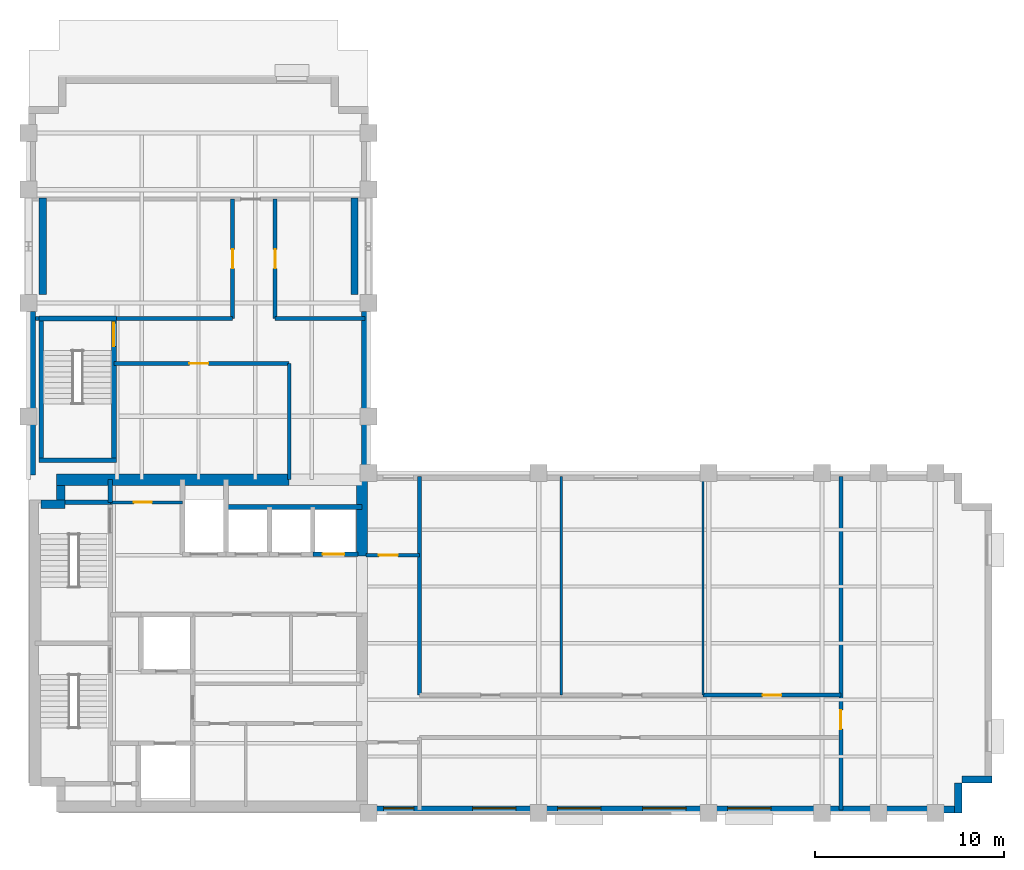
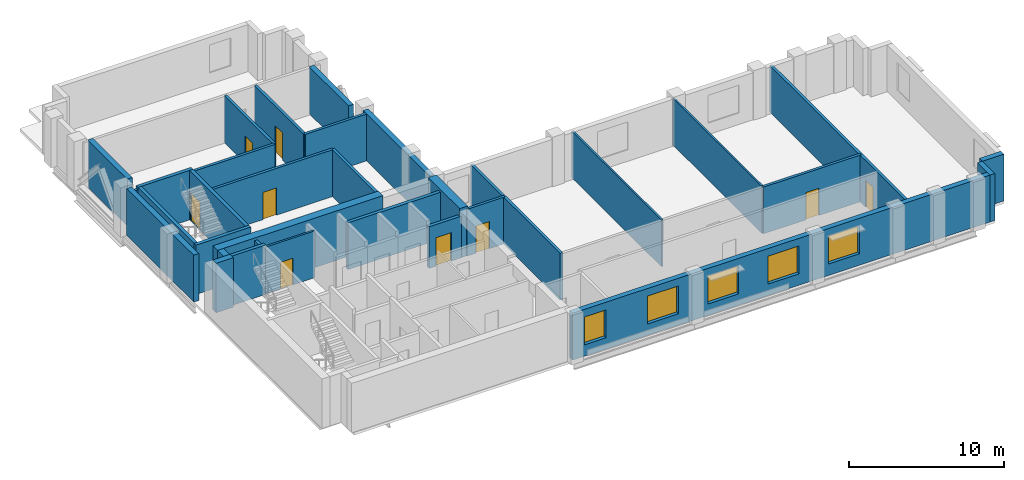
# One storey, part 4 of 6: 33 walls, 9 doors, 5 windows, 14 openings.
"""IFC4 building model written with IfcOpenShell, lengths in metres."""

from ifc_helpers import new_model, si_unit, direction, frame, frame_2d, origin, place, context, subcontext, project, spatial, rectangle, extrude, material, layer, layer_set, type_object, element, fill, save


model = new_model("IFC4")

# Units and contexts
model_context = context("Model", 3, precision=1e-05, world=origin(), true_north=direction((0.0, 1.0)))
body_context = subcontext(model_context, "Body", "Model", "MODEL_VIEW")
ifc_project = project(units=[si_unit("LENGTHUNIT", "METRE"), si_unit("AREAUNIT", "SQUARE_METRE"), si_unit("VOLUMEUNIT", "CUBIC_METRE"), si_unit("PLANEANGLEUNIT", "RADIAN"), si_unit("MASSUNIT", "GRAM", prefix="KILO")], contexts=[model_context])

# Site, building, storey
site_placement = place(None, origin())
site = spatial("IfcSite", under=ifc_project, at=site_placement, CompositionType="ELEMENT")
building_placement = place(site_placement, origin())
building = spatial("IfcBuilding", under=site, at=building_placement, Name="Mawjdan Bourse Tower", CompositionType="ELEMENT")
storey_placement = place(building_placement, frame((0.0, 0.0, 199.5)))
storey = spatial("IfcBuildingStorey", under=building, at=storey_placement, Name="L48", CompositionType="ELEMENT", Elevation=199.5)

# Wall, openings, windows
ifc_material_1 = material(Name="Brick Masonry Terracotta Red", Category="masonry")
ifc_layer_1 = layer(ifc_material_1, 0.3798828125)
ifc_layer_set_1 = layer_set([ifc_layer_1], Name="Brick Masonry Terracotta Red")
wall_type_1 = type_object("IfcWallType", Name="WL-BRK-RED-380", PredefinedType="STANDARD", material=ifc_layer_set_1)
wall_1_placement = place(storey_placement, frame((23.89990234375, 3.18994140625, 0.0), z_axis=(0.0, 0.0, 1.0), x_axis=(1.0, 0.0, 0.0)))
wall_1 = element("IfcWall", 1, at=wall_1_placement, inside=storey, type_object=wall_type_1, Name="L48 Exterior Brick Wall 1", PredefinedType="STANDARD", context=body_context, shape_type="SweptSolid", body=[
    extrude(rectangle(XDim=31.5, YDim=0.3798828125, at=frame_2d((15.75, 0.0))), origin(), (0.0, 0.0, 1.0), 3.699951171875),
])
opening_1_placement = place(wall_1_placement, frame((5.60009765625, 0.0, 0.89990234375)))
opening_1 = element("IfcOpeningElement", 2, at=opening_1_placement, cuts=wall_1, Name="Opening W-L48-01", PredefinedType="OPENING", context=body_context, shape_type="SweptSolid", body=[
    extrude(rectangle(XDim=2.300048828125, YDim=2.199951171875, at=frame_2d((1.14990234375, 1.10009765625))), frame((0.0, 0.199951171875, 0.0), z_axis=(0.0, -1.0, 0.0), x_axis=(1.0, 0.0, 0.0)), (0.0, 0.0, 1.0), 0.39990234375),
])
opening_2_placement = place(wall_1_placement, frame((10.10009765625, 0.0, 0.89990234375)))
opening_2 = element("IfcOpeningElement", 3, at=opening_2_placement, cuts=wall_1, Name="Opening W-L48-02", PredefinedType="OPENING", context=body_context, shape_type="SweptSolid", body=[
    extrude(rectangle(XDim=2.300048828125, YDim=2.199951171875, at=frame_2d((1.14990234375, 1.10009765625))), frame((0.0, 0.199951171875, 0.0), z_axis=(0.0, -1.0, 0.0), x_axis=(1.0, 0.0, 0.0)), (0.0, 0.0, 1.0), 0.39990234375),
])
opening_3_placement = place(wall_1_placement, frame((14.60009765625, 0.0, 0.89990234375)))
opening_3 = element("IfcOpeningElement", 4, at=opening_3_placement, cuts=wall_1, Name="Opening W-L48-03", PredefinedType="OPENING", context=body_context, shape_type="SweptSolid", body=[
    extrude(rectangle(XDim=2.300048828125, YDim=2.199951171875, at=frame_2d((1.14990234375, 1.10009765625))), frame((0.0, 0.199951171875, 0.0), z_axis=(0.0, -1.0, 0.0), x_axis=(1.0, 0.0, 0.0)), (0.0, 0.0, 1.0), 0.39990234375),
])
opening_4_placement = place(wall_1_placement, frame((19.10009765625, 0.0, 0.89990234375)))
opening_4 = element("IfcOpeningElement", 5, at=opening_4_placement, cuts=wall_1, Name="Opening W-L48-04", PredefinedType="OPENING", context=body_context, shape_type="SweptSolid", body=[
    extrude(rectangle(XDim=2.300048828125, YDim=2.199951171875, at=frame_2d((1.14990234375, 1.10009765625))), frame((0.0, 0.199951171875, 0.0), z_axis=(0.0, -1.0, 0.0), x_axis=(1.0, 0.0, 0.0)), (0.0, 0.0, 1.0), 0.39990234375),
])
opening_5_placement = place(wall_1_placement, frame((0.89990234375, 0.0, 0.89990234375)))
opening_5 = element("IfcOpeningElement", 6, at=opening_5_placement, cuts=wall_1, Name="Opening W-L48-09", PredefinedType="OPENING", context=body_context, shape_type="SweptSolid", body=[
    extrude(rectangle(XDim=1.60009765625, YDim=2.199951171875, at=frame_2d((0.800048828125, 1.10009765625))), frame((0.0, 0.199951171875, 0.0), z_axis=(0.0, -1.0, 0.0), x_axis=(1.0, 0.0, 0.0)), (0.0, 0.0, 1.0), 0.39990234375),
])
ifc_material_2 = material(Name="Solar-Control Clear Double Glazing", Category="glass")
window_type_1 = type_object("IfcWindowType", Name="WN-Z3-1600", PartitioningType="SINGLE_PANEL", PredefinedType="WINDOW", material=ifc_material_2)
window_1_placement = place(opening_5_placement, origin())
window_1 = element("IfcWindow", 7, at=window_1_placement, inside=storey, type_object=window_type_1, Name="L48 Deep-Set Masonry Window W-L48-09", OverallHeight=2.199951171875, OverallWidth=1.60009765625, PartitioningType="SINGLE_PANEL", PredefinedType="WINDOW", context=body_context, shape_type="SweptSolid", body=[
    extrude(rectangle(XDim=1.60009765625, YDim=2.199951171875, at=frame_2d((0.800048828125, 1.10009765625))), frame((0.0, 0.110107421875, 0.0), z_axis=(0.0, -1.0, 0.0), x_axis=(1.0, 0.0, 0.0)), (0.0, 0.0, 1.0), 0.06005859375),
])
fill(opening_5, window_1)
window_type_2 = type_object("IfcWindowType", Name="WN-Z3-2300", PartitioningType="SINGLE_PANEL", PredefinedType="WINDOW", material=ifc_material_2)
window_2_placement = place(opening_1_placement, origin())
window_2 = element("IfcWindow", 8, at=window_2_placement, inside=storey, type_object=window_type_2, Name="L48 Deep-Set Masonry Window W-L48-01", OverallHeight=2.199951171875, OverallWidth=2.300048828125, PartitioningType="SINGLE_PANEL", PredefinedType="WINDOW", context=body_context, shape_type="SweptSolid", body=[
    extrude(rectangle(XDim=2.300048828125, YDim=2.199951171875, at=frame_2d((1.14990234375, 1.10009765625))), frame((0.0, 0.110107421875, 0.0), z_axis=(0.0, -1.0, 0.0), x_axis=(1.0, 0.0, 0.0)), (0.0, 0.0, 1.0), 0.06005859375),
])
fill(opening_1, window_2)
window_3_placement = place(opening_2_placement, origin())
window_3 = element("IfcWindow", 9, at=window_3_placement, inside=storey, type_object=window_type_2, Name="L48 Deep-Set Masonry Window W-L48-02", OverallHeight=2.199951171875, OverallWidth=2.300048828125, PartitioningType="SINGLE_PANEL", PredefinedType="WINDOW", context=body_context, shape_type="SweptSolid", body=[
    extrude(rectangle(XDim=2.300048828125, YDim=2.199951171875, at=frame_2d((1.14990234375, 1.10009765625))), frame((0.0, 0.110107421875, 0.0), z_axis=(0.0, -1.0, 0.0), x_axis=(1.0, 0.0, 0.0)), (0.0, 0.0, 1.0), 0.06005859375),
])
fill(opening_2, window_3)
window_4_placement = place(opening_3_placement, origin())
window_4 = element("IfcWindow", 10, at=window_4_placement, inside=storey, type_object=window_type_2, Name="L48 Deep-Set Masonry Window W-L48-03", OverallHeight=2.199951171875, OverallWidth=2.300048828125, PartitioningType="SINGLE_PANEL", PredefinedType="WINDOW", context=body_context, shape_type="SweptSolid", body=[
    extrude(rectangle(XDim=2.300048828125, YDim=2.199951171875, at=frame_2d((1.14990234375, 1.10009765625))), frame((0.0, 0.110107421875, 0.0), z_axis=(0.0, -1.0, 0.0), x_axis=(1.0, 0.0, 0.0)), (0.0, 0.0, 1.0), 0.06005859375),
])
fill(opening_3, window_4)
window_5_placement = place(opening_4_placement, origin())
window_5 = element("IfcWindow", 11, at=window_5_placement, inside=storey, type_object=window_type_2, Name="L48 Deep-Set Masonry Window W-L48-04", OverallHeight=2.199951171875, OverallWidth=2.300048828125, PartitioningType="SINGLE_PANEL", PredefinedType="WINDOW", context=body_context, shape_type="SweptSolid", body=[
    extrude(rectangle(XDim=2.300048828125, YDim=2.199951171875, at=frame_2d((1.14990234375, 1.10009765625))), frame((0.0, 0.110107421875, 0.0), z_axis=(0.0, -1.0, 0.0), x_axis=(1.0, 0.0, 0.0)), (0.0, 0.0, 1.0), 0.06005859375),
])
fill(opening_4, window_5)

# Walls
for number, where, z_axis, x_axis, name in (
    (12, (55.2099609375, 3.0, 0.0), (0.0, 0.0, 1.0), (0.0, 1.0, 0.0), "L48 Exterior Brick Wall 2"),
    (13, (55.39990234375, 4.7900390625, 0.0), (0.0, 0.0, 1.0), (1.0, 0.0, 0.0), "L48 Exterior Brick Wall 3"),
):
    element("IfcWall", number, at=place(storey_placement, frame(where, z_axis=z_axis, x_axis=x_axis)), inside=storey, type_object=wall_type_1, Name=name, PredefinedType="STANDARD", context=body_context, shape_type="SweptSolid", body=[
        extrude(rectangle(XDim=1.60009765625, YDim=0.3798828125, at=frame_2d((0.800048828125, 0.0))), origin(), (0.0, 0.0, 1.0), 3.699951171875),
    ])
wall_2_placement = place(storey_placement, frame((23.81005859375, 21.0, 0.0), z_axis=(0.0, 0.0, 1.0), x_axis=(0.0, 1.0, 0.0)))
element("IfcWall", 14, at=wall_2_placement, inside=storey, type_object=wall_type_1, Name="L48 Exterior Brick Wall 8P1", PredefinedType="STANDARD", context=body_context, shape_type="SweptSolid", body=[
    extrude(rectangle(XDim=8.550048828125, YDim=0.3798828125, at=frame_2d((4.27490234375, 0.0))), origin(), (0.0, 0.0, 1.0), 3.699951171875),
])
for number, where, z_axis, x_axis, name in (
    (15, (23.25, 30.449951171875, 0.0), (0.0, 0.0, 1.0), (0.0, 1.0, 0.0), "L48 Exterior Brick Wall 8P2"),
    (16, (6.75, 35.550048828125, 0.0), (0.0, 0.0, 1.0), (0.0, -1.0, 0.0), "L48 Exterior Brick Wall 14P2"),
):
    element("IfcWall", number, at=place(storey_placement, frame(where, z_axis=z_axis, x_axis=x_axis)), inside=storey, type_object=wall_type_1, Name=name, PredefinedType="STANDARD", context=body_context, shape_type="SweptSolid", body=[
        extrude(rectangle(XDim=5.10009765625, YDim=0.3798828125, at=frame_2d((2.550048828125, 0.0))), origin(), (0.0, 0.0, 1.0), 3.699951171875),
    ])
wall_3_placement = place(storey_placement, frame((6.18994140625, 29.550048828125, 0.0), z_axis=(0.0, 0.0, 1.0), x_axis=(0.0, -1.0, 0.0)))
element("IfcWall", 17, at=wall_3_placement, inside=storey, type_object=wall_type_1, Name="L48 Exterior Brick Wall 14P3", PredefinedType="STANDARD", context=body_context, shape_type="SweptSolid", body=[
    extrude(rectangle(XDim=8.650146484375, YDim=0.3798828125, at=frame_2d((4.3251953125, 0.0))), origin(), (0.0, 0.0, 1.0), 3.699951171875),
])

# Wall, opening, door
ifc_material_3 = material(Name="Gypsum Fireboard Assembly")
ifc_layer_2 = layer(ifc_material_3, 0.199951171875)
ifc_layer_set_2 = layer_set([ifc_layer_2], Name="Gypsum Fireboard Assembly")
wall_type_2 = type_object("IfcWallType", Name="WL-CMP-200", PredefinedType="PARTITIONING", material=ifc_layer_set_2)
wall_4_placement = place(storey_placement, frame((23.85009765625, 16.64990234375, 0.0), z_axis=(0.0, 0.0, 1.0), x_axis=(1.0, 0.0, 0.0)))
wall_4 = element("IfcWall", 18, at=wall_4_placement, inside=storey, type_object=wall_type_2, Name="L48 West North Pocket Wall", PredefinedType="PARTITIONING", context=body_context, shape_type="SweptSolid", body=[
    extrude(rectangle(XDim=2.849853515625, YDim=0.199951171875, at=frame_2d((1.4248046875, 0.0))), origin(), (0.0, 0.0, 1.0), 3.68994140625),
])
opening_6_placement = place(wall_4_placement, frame((0.699951171875, 0.0, 0.0)))
opening_6 = element("IfcOpeningElement", 19, at=opening_6_placement, cuts=wall_4, Name="Opening D-L48-20", PredefinedType="OPENING", context=body_context, shape_type="SweptSolid", body=[
    extrude(rectangle(XDim=1.0, YDim=2.14990234375, at=frame_2d((0.5, 1.074951171875))), frame((0.0, 0.10986328125, 0.0), z_axis=(0.0, -1.0, 0.0), x_axis=(1.0, 0.0, 0.0)), (0.0, 0.0, 1.0), 0.219970703125),
])
ifc_material_4 = material(Name="Hardwood Acoustic Leaf", Category="wood")
door_type_1 = type_object("IfcDoorType", Name="DR-OFC-1000", OperationType="NOTDEFINED", PredefinedType="DOOR", material=ifc_material_4)
door_1_placement = place(opening_6_placement, origin())
door_1 = element("IfcDoor", 20, at=door_1_placement, inside=storey, type_object=door_type_1, Name="L48 West North Pocket Door D-L48-20", OperationType="SINGLE_SWING_RIGHT", OverallHeight=2.14990234375, OverallWidth=1.0, PredefinedType="DOOR", context=body_context, shape_type="SweptSolid", body=[
    extrude(rectangle(XDim=1.0, YDim=2.14990234375, at=frame_2d((0.5, 1.074951171875))), frame((0.0, 0.02490234375, 0.0), z_axis=(0.0, -1.0, 0.0), x_axis=(1.0, 0.0, 0.0)), (0.0, 0.0, 1.0), 0.050048828125),
])
fill(opening_6, door_1)

# Wall
wall_5_placement = place(storey_placement, frame((26.699951171875, 9.25, 0.0), z_axis=(0.0, 0.0, 1.0), x_axis=(0.0, 1.0, 0.0)))
element("IfcWall", 21, at=wall_5_placement, inside=storey, type_object=wall_type_2, Name="L48 Vestibule North East Wall", PredefinedType="PARTITIONING", context=body_context, shape_type="SweptSolid", body=[
    extrude(rectangle(XDim=11.570068359375, YDim=0.199951171875, at=frame_2d((5.78515625, 0.0))), origin(), (0.0, 0.0, 1.0), 3.68994140625),
])

# Wall, opening, door
wall_6_placement = place(storey_placement, frame((41.699951171875, 9.25, 0.0), z_axis=(0.0, 0.0, 1.0), x_axis=(1.0, 0.0, 0.0)))
wall_6 = element("IfcWall", 22, at=wall_6_placement, inside=storey, type_object=wall_type_2, Name="L48 Client Reception Corridor Wall", PredefinedType="PARTITIONING", context=body_context, shape_type="SweptSolid", body=[
    extrude(rectangle(XDim=7.300048828125, YDim=0.199951171875, at=frame_2d((3.64990234375, 0.0))), origin(), (0.0, 0.0, 1.0), 3.68994140625),
])
opening_7_placement = place(wall_6_placement, frame((3.14990234375, 0.0, 0.0)))
opening_7 = element("IfcOpeningElement", 23, at=opening_7_placement, cuts=wall_6, Name="Opening D-L48-24", PredefinedType="OPENING", context=body_context, shape_type="SweptSolid", body=[
    extrude(rectangle(XDim=1.0, YDim=2.14990234375, at=frame_2d((0.5, 1.074951171875))), frame((0.0, 0.10986328125, 0.0), z_axis=(0.0, -1.0, 0.0), x_axis=(1.0, 0.0, 0.0)), (0.0, 0.0, 1.0), 0.219970703125),
])
door_2_placement = place(opening_7_placement, origin())
door_2 = element("IfcDoor", 24, at=door_2_placement, inside=storey, type_object=door_type_1, Name="L48 Client Reception Door D-L48-24", OperationType="SINGLE_SWING_RIGHT", OverallHeight=2.14990234375, OverallWidth=1.0, PredefinedType="DOOR", context=body_context, shape_type="SweptSolid", body=[
    extrude(rectangle(XDim=1.0, YDim=2.14990234375, at=frame_2d((0.5, 1.074951171875))), frame((0.0, 0.02490234375, 0.0), z_axis=(0.0, -1.0, 0.0), x_axis=(1.0, 0.0, 0.0)), (0.0, 0.0, 1.0), 0.050048828125),
])
fill(opening_7, door_2)

wall_7_placement = place(storey_placement, frame((49.0, 3.179931640625, 0.0), z_axis=(0.0, 0.0, 1.0), x_axis=(0.0, 1.0, 0.0)))
wall_7 = element("IfcWall", 25, at=wall_7_placement, inside=storey, type_object=wall_type_2, Name="L48 East Tip Full Cross Wall", PredefinedType="PARTITIONING", context=body_context, shape_type="SweptSolid", body=[
    extrude(rectangle(XDim=17.64013671875, YDim=0.199951171875, at=frame_2d((8.820068359375, 0.0))), origin(), (0.0, 0.0, 1.0), 3.68994140625),
])
opening_8_placement = place(wall_7_placement, frame((4.27490234375, 0.0, 0.0)))
opening_8 = element("IfcOpeningElement", 26, at=opening_8_placement, cuts=wall_7, Name="Opening D-L48-25", PredefinedType="OPENING", context=body_context, shape_type="SweptSolid", body=[
    extrude(rectangle(XDim=1.0, YDim=2.14990234375, at=frame_2d((0.5, 1.074951171875))), frame((0.0, 0.10986328125, 0.0), z_axis=(0.0, -1.0, 0.0), x_axis=(1.0, 0.0, 0.0)), (0.0, 0.0, 1.0), 0.219970703125),
])
door_3_placement = place(opening_8_placement, origin())
door_3 = element("IfcDoor", 27, at=door_3_placement, inside=storey, type_object=door_type_1, Name="L48 East Tip Hall Door D-L48-25", OperationType="SINGLE_SWING_LEFT", OverallHeight=2.14990234375, OverallWidth=1.0, PredefinedType="DOOR", context=body_context, shape_type="SweptSolid", body=[
    extrude(rectangle(XDim=1.0, YDim=2.14990234375, at=frame_2d((0.5, 1.074951171875))), frame((0.0, 0.02490234375, 0.0), z_axis=(0.0, -1.0, 0.0), x_axis=(1.0, 0.0, 0.0)), (0.0, 0.0, 1.0), 0.050048828125),
])
fill(opening_8, door_3)

wall_8_placement = place(storey_placement, frame((10.52001953125, 26.800048828125, 0.0), z_axis=(0.0, 0.0, 1.0), x_axis=(1.0, 0.0, 0.0)))
wall_8 = element("IfcWall", 28, at=wall_8_placement, inside=storey, type_object=wall_type_2, Name="L48 North Throat North Wall", PredefinedType="PARTITIONING", context=body_context, shape_type="SweptSolid", body=[
    extrude(rectangle(XDim=9.280029296875, YDim=0.199951171875, at=frame_2d((4.64013671875, 0.0))), origin(), (0.0, 0.0, 1.0), 3.68994140625),
])
opening_9_placement = place(wall_8_placement, frame((4.0, 0.0, 0.0)))
opening_9 = element("IfcOpeningElement", 29, at=opening_9_placement, cuts=wall_8, Name="Opening D-L48-26", PredefinedType="OPENING", context=body_context, shape_type="SweptSolid", body=[
    extrude(rectangle(XDim=1.0, YDim=2.14990234375, at=frame_2d((0.5, 1.074951171875))), frame((0.0, 0.10986328125, 0.0), z_axis=(0.0, -1.0, 0.0), x_axis=(1.0, 0.0, 0.0)), (0.0, 0.0, 1.0), 0.219970703125),
])
door_4_placement = place(opening_9_placement, origin())
door_4 = element("IfcDoor", 30, at=door_4_placement, inside=storey, type_object=door_type_1, Name="L48 North Throat Suite Door D-L48-26", OperationType="SINGLE_SWING_RIGHT", OverallHeight=2.14990234375, OverallWidth=1.0, PredefinedType="DOOR", context=body_context, shape_type="SweptSolid", body=[
    extrude(rectangle(XDim=1.0, YDim=2.14990234375, at=frame_2d((0.5, 1.074951171875))), frame((0.0, 0.02490234375, 0.0), z_axis=(0.0, -1.0, 0.0), x_axis=(1.0, 0.0, 0.0)), (0.0, 0.0, 1.0), 0.050048828125),
])
fill(opening_9, door_4)

# Walls
wall_9_placement = place(storey_placement, frame((19.800048828125, 20.64990234375, 0.0), z_axis=(0.0, 0.0, 1.0), x_axis=(0.0, 1.0, 0.0)))
element("IfcWall", 31, at=wall_9_placement, inside=storey, type_object=wall_type_2, Name="L48 North Throat East Wall", PredefinedType="PARTITIONING", context=body_context, shape_type="SweptSolid", body=[
    extrude(rectangle(XDim=6.150146484375, YDim=0.199951171875, at=frame_2d((3.0751953125, 0.0))), origin(), (0.0, 0.0, 1.0), 3.68994140625),
])
wall_10_placement = place(storey_placement, frame((6.3798828125, 29.179931640625, 0.0), z_axis=(0.0, 0.0, 1.0), x_axis=(1.0, 0.0, 0.0)))
element("IfcWall", 32, at=wall_10_placement, inside=storey, type_object=wall_type_2, Name="L48 North West Band ST3 West Return", PredefinedType="PARTITIONING", context=body_context, shape_type="SweptSolid", body=[
    extrude(rectangle(XDim=0.175048828125, YDim=0.199951171875, at=frame_2d((0.08740234375, 0.0))), origin(), (0.0, 0.0, 1.0), 3.68994140625),
])
wall_11_placement = place(storey_placement, frame((10.6298828125, 29.179931640625, 0.0), z_axis=(0.0, 0.0, 1.0), x_axis=(1.0, 0.0, 0.0)))
element("IfcWall", 33, at=wall_11_placement, inside=storey, type_object=wall_type_2, Name="L48 North West Band South Wall", PredefinedType="PARTITIONING", context=body_context, shape_type="SweptSolid", body=[
    extrude(rectangle(XDim=6.170166015625, YDim=0.199951171875, at=frame_2d((3.0849609375, 0.0))), origin(), (0.0, 0.0, 1.0), 3.68994140625),
])
wall_12_placement = place(storey_placement, frame((19.050048828125, 29.179931640625, 0.0), z_axis=(0.0, 0.0, 1.0), x_axis=(1.0, 0.0, 0.0)))
element("IfcWall", 34, at=wall_12_placement, inside=storey, type_object=wall_type_2, Name="L48 North East Band South Wall", PredefinedType="PARTITIONING", context=body_context, shape_type="SweptSolid", body=[
    extrude(rectangle(XDim=4.77001953125, YDim=0.199951171875, at=frame_2d((2.385009765625, 0.0))), origin(), (0.0, 0.0, 1.0), 3.68994140625),
])

# Wall, opening, door
wall_13_placement = place(storey_placement, frame((16.800048828125, 29.179931640625, 0.0), z_axis=(0.0, 0.0, 1.0), x_axis=(0.0, 1.0, 0.0)))
wall_13 = element("IfcWall", 35, at=wall_13_placement, inside=storey, type_object=wall_type_2, Name="L48 Document Archive Store Corridor Wall", PredefinedType="PARTITIONING", context=body_context, shape_type="SweptSolid", body=[
    extrude(rectangle(XDim=6.320068359375, YDim=0.199951171875, at=frame_2d((3.16015625, 0.0))), origin(), (0.0, 0.0, 1.0), 3.68994140625),
])
opening_10_placement = place(wall_13_placement, frame((2.659912109375, 0.0, 0.0)))
opening_10 = element("IfcOpeningElement", 36, at=opening_10_placement, cuts=wall_13, Name="Opening D-L48-27", PredefinedType="OPENING", context=body_context, shape_type="SweptSolid", body=[
    extrude(rectangle(XDim=1.0, YDim=2.14990234375, at=frame_2d((0.5, 1.074951171875))), frame((0.0, 0.10986328125, 0.0), z_axis=(0.0, -1.0, 0.0), x_axis=(1.0, 0.0, 0.0)), (0.0, 0.0, 1.0), 0.219970703125),
])
door_5_placement = place(opening_10_placement, origin())
door_5 = element("IfcDoor", 37, at=door_5_placement, inside=storey, type_object=door_type_1, Name="L48 Document Archive Store Door D-L48-27", OperationType="SINGLE_SWING_LEFT", OverallHeight=2.14990234375, OverallWidth=1.0, PredefinedType="DOOR", context=body_context, shape_type="SweptSolid", body=[
    extrude(rectangle(XDim=1.0, YDim=2.14990234375, at=frame_2d((0.5, 1.074951171875))), frame((0.0, 0.02490234375, 0.0), z_axis=(0.0, -1.0, 0.0), x_axis=(1.0, 0.0, 0.0)), (0.0, 0.0, 1.0), 0.050048828125),
])
fill(opening_10, door_5)

wall_14_placement = place(storey_placement, frame((19.050048828125, 29.179931640625, 0.0), z_axis=(0.0, 0.0, 1.0), x_axis=(0.0, 1.0, 0.0)))
wall_14 = element("IfcWall", 38, at=wall_14_placement, inside=storey, type_object=wall_type_2, Name="L48 Document Archive Store Corridor Wall", PredefinedType="PARTITIONING", context=body_context, shape_type="SweptSolid", body=[
    extrude(rectangle(XDim=6.320068359375, YDim=0.199951171875, at=frame_2d((3.16015625, 0.0))), origin(), (0.0, 0.0, 1.0), 3.68994140625),
])
opening_11_placement = place(wall_14_placement, frame((2.659912109375, 0.0, 0.0)))
opening_11 = element("IfcOpeningElement", 39, at=opening_11_placement, cuts=wall_14, Name="Opening D-L48-28", PredefinedType="OPENING", context=body_context, shape_type="SweptSolid", body=[
    extrude(rectangle(XDim=1.0, YDim=2.14990234375, at=frame_2d((0.5, 1.074951171875))), frame((0.0, 0.10986328125, 0.0), z_axis=(0.0, -1.0, 0.0), x_axis=(1.0, 0.0, 0.0)), (0.0, 0.0, 1.0), 0.219970703125),
])
door_6_placement = place(opening_11_placement, origin())
door_6 = element("IfcDoor", 40, at=door_6_placement, inside=storey, type_object=door_type_1, Name="L48 Document Archive Store Door D-L48-28", OperationType="SINGLE_SWING_RIGHT", OverallHeight=2.14990234375, OverallWidth=1.0, PredefinedType="DOOR", context=body_context, shape_type="SweptSolid", body=[
    extrude(rectangle(XDim=1.0, YDim=2.14990234375, at=frame_2d((0.5, 1.074951171875))), frame((0.0, 0.02490234375, 0.0), z_axis=(0.0, -1.0, 0.0), x_axis=(1.0, 0.0, 0.0)), (0.0, 0.0, 1.0), 0.050048828125),
])
fill(opening_11, door_6)

# Walls
ifc_material_5 = material(Name="Concrete C60/75", Category="concrete")
ifc_layer_3 = layer(ifc_material_5, 0.449951171875)
ifc_layer_set_3 = layer_set([ifc_layer_3], Name="Concrete C60/75")
wall_type_3 = type_object("IfcWallType", Name="WL-CORE-450", PredefinedType="SHEAR", material=ifc_layer_set_3)
wall_15_placement = place(storey_placement, frame((6.64990234375, 19.35009765625, 0.0), z_axis=(0.0, 0.0, 1.0), x_axis=(1.0, 0.0, 0.0)))
element("IfcWall", 41, at=wall_15_placement, inside=storey, type_object=wall_type_3, Name="L48 Rear Core Shear Wall NW-X", PredefinedType="SHEAR", context=body_context, shape_type="SweptSolid", body=[
    extrude(rectangle(XDim=1.275146484375, YDim=0.449951171875, at=frame_2d((0.6376953125, 0.0))), origin(), (0.0, 0.0, 1.0), 3.89990234375),
])
wall_16_placement = place(storey_placement, frame((7.699951171875, 19.574951171875, 0.0), z_axis=(0.0, 0.0, 1.0), x_axis=(0.0, 1.0, 0.0)))
element("IfcWall", 42, at=wall_16_placement, inside=storey, type_object=wall_type_3, Name="L48 Rear Core Shear Wall NW-Y", PredefinedType="SHEAR", context=body_context, shape_type="SweptSolid", body=[
    extrude(rectangle(XDim=0.775146484375, YDim=0.449951171875, at=frame_2d((0.3876953125, 0.0))), origin(), (0.0, 0.0, 1.0), 3.89990234375),
])
ifc_material_6 = material(Name="Concrete C70/85", Category="concrete")
ifc_layer_4 = layer(ifc_material_6, 0.60009765625)
ifc_layer_set_4 = layer_set([ifc_layer_4], Name="Concrete C70/85")
wall_type_4 = type_object("IfcWallType", Name="WL-CORE-600", PredefinedType="SHEAR", material=ifc_layer_set_4)
wall_17_placement = place(storey_placement, frame((7.47509765625, 20.64990234375, 0.0), z_axis=(0.0, 0.0, 1.0), x_axis=(1.0, 0.0, 0.0)))
element("IfcWall", 43, at=wall_17_placement, inside=storey, type_object=wall_type_4, Name="L48 Rear Core Shear Wall N", PredefinedType="SHEAR", context=body_context, shape_type="SweptSolid", body=[
    extrude(rectangle(XDim=12.324951171875, YDim=0.60009765625, at=frame_2d((6.16259765625, 0.0))), origin(), (0.0, 0.0, 1.0), 3.89990234375),
])
wall_18_placement = place(storey_placement, frame((23.64990234375, 16.60009765625, 0.0), z_axis=(0.0, 0.0, 1.0), x_axis=(0.0, 1.0, 0.0)))
element("IfcWall", 44, at=wall_18_placement, inside=storey, type_object=wall_type_4, Name="L48 Rear Core Shear Wall E3", PredefinedType="SHEAR", context=body_context, shape_type="SweptSolid", body=[
    extrude(rectangle(XDim=4.0498046875, YDim=0.60009765625, at=frame_2d((2.02490234375, 0.0))), origin(), (0.0, 0.0, 1.0), 3.89990234375),
])
ifc_material_7 = material(Name="Gypsum Partition")
ifc_layer_5 = layer(ifc_material_7, 0.125)
ifc_layer_set_5 = layer_set([ifc_layer_5], Name="Gypsum Partition")
wall_type_5 = type_object("IfcWallType", Name="WL-PRT-125", PredefinedType="PARTITIONING", material=ifc_layer_set_5)
for number, where, z_axis, x_axis, name in (
    (45, (34.199951171875, 9.25, 0.0), (0.0, 0.0, 1.0), (0.0, 1.0, 0.0), "L48 Treasury Office Partition"),
    (46, (41.699951171875, 9.25, 0.0), (0.0, 0.0, 1.0), (0.0, 1.0, 0.0), "L48 Client Reception Partition"),
):
    element("IfcWall", number, at=place(storey_placement, frame(where, z_axis=z_axis, x_axis=x_axis)), inside=storey, type_object=wall_type_5, Name=name, PredefinedType="PARTITIONING", context=body_context, shape_type="SweptSolid", body=[
        extrude(rectangle(XDim=11.570068359375, YDim=0.125, at=frame_2d((5.78515625, 0.0))), origin(), (0.0, 0.0, 1.0), 3.68994140625),
    ])

# Wall, opening, door
ifc_material_8 = material(Name="Gypsum Acoustic Partition")
ifc_layer_6 = layer(ifc_material_8, 0.14990234375)
ifc_layer_set_6 = layer_set([ifc_layer_6], Name="Gypsum Acoustic Partition")
wall_type_6 = type_object("IfcWallType", Name="WL-PRT-150", PredefinedType="PARTITIONING", material=ifc_layer_set_6)
wall_19_placement = place(storey_placement, frame((10.330078125, 19.449951171875, 0.0), z_axis=(0.0, 0.0, 1.0), x_axis=(1.0, 0.0, 0.0)))
wall_19 = element("IfcWall", 47, at=wall_19_placement, inside=storey, type_object=wall_type_6, Name="L48 Housekeeping South Wall", PredefinedType="PARTITIONING", context=body_context, shape_type="SweptSolid", body=[
    extrude(rectangle(XDim=3.81982421875, YDim=0.14990234375, at=frame_2d((1.909912109375, 0.0))), origin(), (0.0, 0.0, 1.0), 3.68994140625),
])
opening_12_placement = place(wall_19_placement, frame((1.25, 0.0, 0.0)))
opening_12 = element("IfcOpeningElement", 48, at=opening_12_placement, cuts=wall_19, Name="Opening D-L48-17", PredefinedType="OPENING", context=body_context, shape_type="SweptSolid", body=[
    extrude(rectangle(XDim=0.949951171875, YDim=2.10009765625, at=frame_2d((0.47509765625, 1.050048828125))), frame((0.0, 0.0849609375, 0.0), z_axis=(0.0, -1.0, 0.0), x_axis=(1.0, 0.0, 0.0)), (0.0, 0.0, 1.0), 0.169921875),
])
ifc_material_9 = material(Name="Moisture-Resistant Laminate Timber", Category="wood")
door_type_2 = type_object("IfcDoorType", Name="DR-WET-0950", OperationType="NOTDEFINED", PredefinedType="DOOR", material=ifc_material_9)
door_7_placement = place(opening_12_placement, origin())
door_7 = element("IfcDoor", 49, at=door_7_placement, inside=storey, type_object=door_type_2, Name="L48 Housekeeping Closet Door D-L48-17", OperationType="SINGLE_SWING_LEFT", OverallHeight=2.10009765625, OverallWidth=0.949951171875, PredefinedType="DOOR", context=body_context, shape_type="SweptSolid", body=[
    extrude(rectangle(XDim=0.949951171875, YDim=2.10009765625, at=frame_2d((0.47509765625, 1.050048828125))), frame((0.0, 0.02490234375, 0.0), z_axis=(0.0, -1.0, 0.0), x_axis=(1.0, 0.0, 0.0)), (0.0, 0.0, 1.0), 0.050048828125),
])
fill(opening_12, door_7)

# Wall
ifc_material_10 = material(Name="Concrete C50/60", Category="concrete")
ifc_layer_7 = layer(ifc_material_10, 0.25)
ifc_layer_set_7 = layer_set([ifc_layer_7], Name="Concrete C50/60")
wall_type_7 = type_object("IfcWallType", Name="WL-SHFT-250", PredefinedType="PARTITIONING", material=ifc_layer_set_7)
wall_20_placement = place(storey_placement, frame((10.330078125, 19.449951171875, 0.0), z_axis=(0.0, 0.0, 1.0), x_axis=(0.0, 1.0, 0.0)))
element("IfcWall", 50, at=wall_20_placement, inside=storey, type_object=wall_type_7, Name="L48 NW Riser East Wall", PredefinedType="PARTITIONING", context=body_context, shape_type="SweptSolid", body=[
    extrude(rectangle(XDim=1.199951171875, YDim=0.25, at=frame_2d((0.60009765625, 0.0))), origin(), (0.0, 0.0, 1.0), 3.68994140625),
])

# Wall, opening, door
wall_21_placement = place(storey_placement, frame((21.050048828125, 16.699951171875, 0.0), z_axis=(0.0, 0.0, 1.0), x_axis=(1.0, 0.0, 0.0)))
wall_21 = element("IfcWall", 51, at=wall_21_placement, inside=storey, type_object=wall_type_7, Name="L48 PH-03 Front Wall", PredefinedType="PARTITIONING", context=body_context, shape_type="SweptSolid", body=[
    extrude(rectangle(XDim=2.39990234375, YDim=0.25, at=frame_2d((1.199951171875, 0.0))), origin(), (0.0, 0.0, 1.0), 3.282958984375),
])
opening_13_placement = place(wall_21_placement, frame((0.52001953125, 0.0, 0.0)))
opening_13 = element("IfcOpeningElement", 52, at=opening_13_placement, cuts=wall_21, Name="Opening LD-L48-12", PredefinedType="OPENING", context=body_context, shape_type="SweptSolid", body=[
    extrude(rectangle(XDim=1.14990234375, YDim=2.25, at=frame_2d((0.574951171875, 1.125))), frame((0.0, 0.135009765625, 0.0), z_axis=(0.0, -1.0, 0.0), x_axis=(1.0, 0.0, 0.0)), (0.0, 0.0, 1.0), 0.27001953125),
])
ifc_material_11 = material(Name="Brushed Stainless Steel", Category="steel")
door_type_3 = type_object("IfcDoorType", Name="LD-PAS-1150", OperationType="DOUBLE_DOOR_SLIDING", PredefinedType="DOOR", material=ifc_material_11)
door_8_placement = place(opening_13_placement, origin())
door_8 = element("IfcDoor", 53, at=door_8_placement, inside=storey, type_object=door_type_3, Name="L48 Lift PH-03 Landing Door LD-L48-12", OperationType="DOUBLE_DOOR_SLIDING", OverallHeight=2.25, OverallWidth=1.14990234375, PredefinedType="DOOR", context=body_context, shape_type="SweptSolid", body=[
    extrude(rectangle(XDim=1.14990234375, YDim=2.25, at=frame_2d((0.574951171875, 1.125))), frame((0.0, 0.02490234375, 0.0), z_axis=(0.0, -1.0, 0.0), x_axis=(1.0, 0.0, 0.0)), (0.0, 0.0, 1.0), 0.050048828125),
])
fill(opening_13, door_8)

# Walls
wall_22_placement = place(storey_placement, frame((16.449951171875, 19.199951171875, 0.0), z_axis=(0.0, 0.0, 1.0), x_axis=(1.0, 0.0, 0.0)))
element("IfcWall", 54, at=wall_22_placement, inside=storey, type_object=wall_type_7, Name="L48 PH Bank North Shaft Back Wall", PredefinedType="PARTITIONING", context=body_context, shape_type="SweptSolid", body=[
    extrude(rectangle(XDim=7.199951171875, YDim=0.25, at=frame_2d((3.60009765625, 0.0))), origin(), (0.0, 0.0, 1.0), 3.68994140625),
])
ifc_layer_8 = layer(ifc_material_10, 0.25)
ifc_layer_set_8 = layer_set([ifc_layer_8], Name="Concrete C50/60")
wall_type_8 = type_object("IfcWallType", Name="WL-STRW-250", PredefinedType="SHEAR", material=ifc_layer_set_8)
wall_23_placement = place(storey_placement, frame((7.699951171875, 19.449951171875, 0.0), z_axis=(0.0, 0.0, 1.0), x_axis=(1.0, 0.0, 0.0)))
element("IfcWall", 55, at=wall_23_placement, inside=storey, type_object=wall_type_8, Name="L48 Stairwell ST2 North Shaft Wall", PredefinedType="SHEAR", context=body_context, shape_type="SweptSolid", body=[
    extrude(rectangle(XDim=2.755126953125, YDim=0.25, at=frame_2d((1.37744140625, 0.0))), origin(), (0.0, 0.0, 1.0), 3.89990234375),
])
for number, where, z_axis, x_axis, name in (
    (56, (6.554931640625, 21.679931640625, 0.0), (0.0, 0.0, 1.0), (1.0, 0.0, 0.0), "L48 ST3 South Shaft Wall"),
    (57, (6.554931640625, 29.179931640625, 0.0), (0.0, 0.0, 1.0), (1.0, 0.0, 0.0), "L48 ST3 North Shaft Wall"),
):
    element("IfcWall", number, at=place(storey_placement, frame(where, z_axis=z_axis, x_axis=x_axis)), inside=storey, type_object=wall_type_8, Name=name, PredefinedType="SHEAR", context=body_context, shape_type="SweptSolid", body=[
        extrude(rectangle(XDim=4.090087890625, YDim=0.25, at=frame_2d((2.044921875, 0.0))), origin(), (0.0, 0.0, 1.0), 3.89990234375),
    ])
wall_24_placement = place(storey_placement, frame((6.679931640625, 21.679931640625, 0.0), z_axis=(0.0, 0.0, 1.0), x_axis=(0.0, 1.0, 0.0)))
element("IfcWall", 58, at=wall_24_placement, inside=storey, type_object=wall_type_8, Name="L48 ST3 West Shaft Wall", PredefinedType="SHEAR", context=body_context, shape_type="SweptSolid", body=[
    extrude(rectangle(XDim=7.5, YDim=0.25, at=frame_2d((3.75, 0.0))), origin(), (0.0, 0.0, 1.0), 3.89990234375),
])

# Wall, opening, door
wall_25_placement = place(storey_placement, frame((10.52001953125, 21.679931640625, 0.0), z_axis=(0.0, 0.0, 1.0), x_axis=(0.0, 1.0, 0.0)))
wall_25 = element("IfcWall", 59, at=wall_25_placement, inside=storey, type_object=wall_type_8, Name="L48 ST3 East Shaft Wall", PredefinedType="SHEAR", context=body_context, shape_type="SweptSolid", body=[
    extrude(rectangle(XDim=7.5, YDim=0.25, at=frame_2d((3.75, 0.0))), origin(), (0.0, 0.0, 1.0), 3.89990234375),
])
opening_14_placement = place(wall_25_placement, frame((6.02001953125, 0.0, 0.0)))
opening_14 = element("IfcOpeningElement", 60, at=opening_14_placement, cuts=wall_25, Name="Opening SD-L48-18", PredefinedType="OPENING", context=body_context, shape_type="SweptSolid", body=[
    extrude(rectangle(XDim=1.25, YDim=2.199951171875, at=frame_2d((0.625, 1.10009765625))), frame((0.0, 0.135009765625, 0.0), z_axis=(0.0, -1.0, 0.0), x_axis=(1.0, 0.0, 0.0)), (0.0, 0.0, 1.0), 0.27001953125),
])
ifc_material_12 = material(Name="Fire-Rated Steel Leaf", Category="steel")
door_type_4 = type_object("IfcDoorType", Name="FD-ST-1250", OperationType="NOTDEFINED", PredefinedType="DOOR", material=ifc_material_12)
door_9_placement = place(opening_14_placement, origin())
door_9 = element("IfcDoor", 61, at=door_9_placement, inside=storey, type_object=door_type_4, Name="L48 Stair ST3 Fire Door SD-L48-18", OperationType="SINGLE_SWING_RIGHT", OverallHeight=2.199951171875, OverallWidth=1.25, PredefinedType="DOOR", context=body_context, shape_type="SweptSolid", body=[
    extrude(rectangle(XDim=1.25, YDim=2.199951171875, at=frame_2d((0.625, 1.10009765625))), frame((0.0, 0.02490234375, 0.0), z_axis=(0.0, -1.0, 0.0), x_axis=(1.0, 0.0, 0.0)), (0.0, 0.0, 1.0), 0.050048828125),
])
fill(opening_14, door_9)

save(model, "model.ifc")
